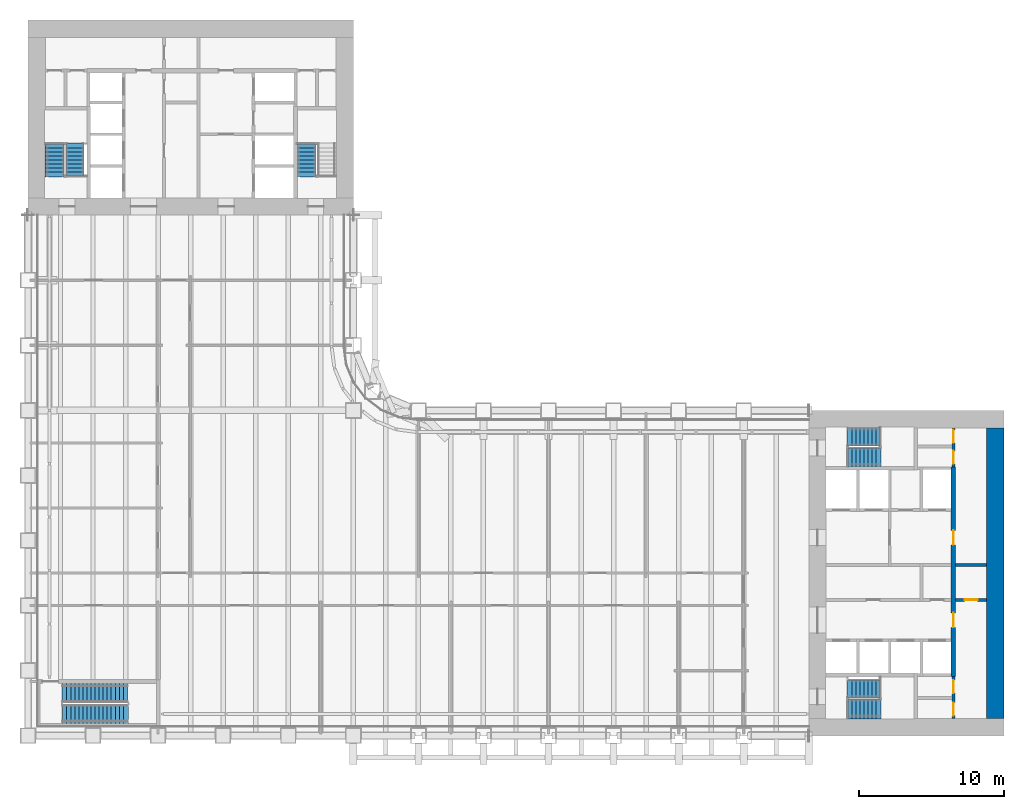
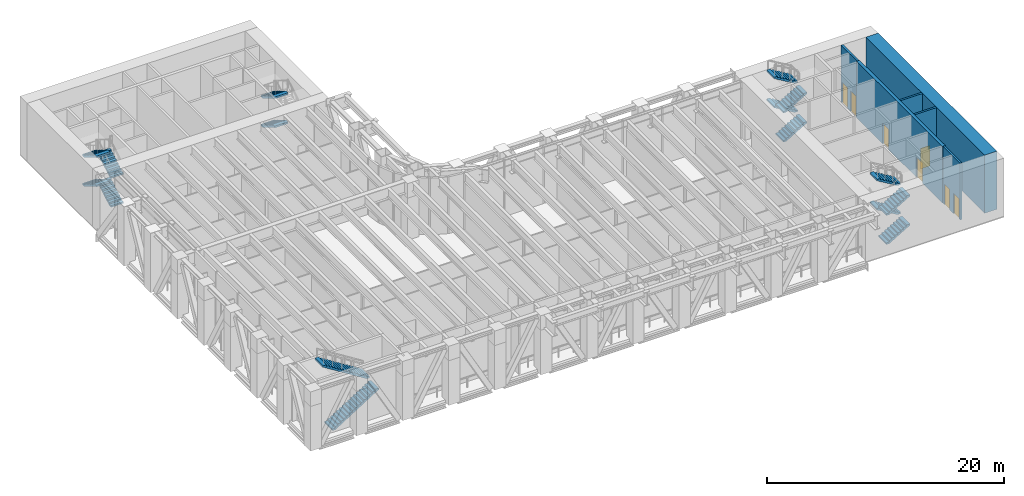
# One storey, part 12 of 19: 16 stair flights, 7 doors, 6 walls, 7 openings, 5 elements without a shape of their own.
"""IFC4 building model written with IfcOpenShell, lengths in metres."""

from ifc_helpers import new_model, si_unit, direction, frame, frame_2d, origin, place, context, subcontext, project, spatial, polyline, rectangle, outline, extrude, material, layer, layer_set, type_object, element, fill, aggregate, save


model = new_model("IFC4")

# Units and contexts
model_context = context("Model", 3, precision=1e-05, world=origin(), true_north=direction((0.0, 1.0)))
body_context = subcontext(model_context, "Body", "Model", "MODEL_VIEW")
ifc_project = project(units=[si_unit("LENGTHUNIT", "METRE"), si_unit("AREAUNIT", "SQUARE_METRE"), si_unit("VOLUMEUNIT", "CUBIC_METRE"), si_unit("PLANEANGLEUNIT", "RADIAN"), si_unit("MASSUNIT", "GRAM", prefix="KILO")], contexts=[model_context])

# Site, building, storey
site_placement = place(None, origin())
site = spatial("IfcSite", under=ifc_project, at=site_placement, CompositionType="ELEMENT")
building_placement = place(site_placement, origin())
building = spatial("IfcBuilding", under=site, at=building_placement, Name="Sennacour Bend Tower", CompositionType="ELEMENT")
storey_placement = place(building_placement, frame((0.0, 0.0, 77.0)))
storey = spatial("IfcBuildingStorey", under=building, at=storey_placement, Name="L17", CompositionType="ELEMENT", Elevation=77.0)

# Wall
ifc_material_1 = material(Name="Concrete C80/95", Category="concrete")
ifc_layer_1 = layer(ifc_material_1, 1.199951171875, Name="Concrete C80/95", Category="concrete")
ifc_layer_set_1 = layer_set([ifc_layer_1], Name="Concrete C80/95")
wall_type_1 = type_object("IfcWallType", Name="Core wall 1200 C80/95", PredefinedType="SHEAR", material=ifc_layer_set_1)
wall_1_placement = place(storey_placement, frame((66.89990234375, 1.199951171875, -0.14990234375), z_axis=(0.0, 0.0, 1.0), x_axis=(0.0, 1.0, 0.0)))
element("IfcWall", 1, at=wall_1_placement, inside=storey, type_object=wall_type_1, Name="Core A wall L17 E", PredefinedType="SHEAR", context=body_context, shape_type="SweptSolid", body=[
    extrude(rectangle(XDim=20.10009765625, YDim=1.199951171875, at=frame_2d((10.050048828125, 0.0))), origin(), (0.0, 0.0, 1.0), 6.0),
])

# Wall, openings, doors
ifc_material_2 = material(Name="Fire-rated plasterboard partition on steel studs", Category="steel")
ifc_layer_2 = layer(ifc_material_2, 0.199951171875, Name="Fire-rated plasterboard partition on steel studs", Category="steel")
ifc_layer_set_2 = layer_set([ifc_layer_2], Name="Fire-rated plasterboard partition on steel studs")
wall_type_2 = type_object("IfcWallType", Name="Rated partition 200", PredefinedType="PARTITIONING", material=ifc_layer_set_2)
wall_2_placement = place(storey_placement, frame((64.0, 1.199951171875, 0.0), z_axis=(0.0, 0.0, 1.0), x_axis=(0.0, 1.0, 0.0)))
wall_2 = element("IfcWall", 2, at=wall_2_placement, inside=storey, type_object=wall_type_2, Name="P-L17-W040", PredefinedType="PARTITIONING", context=body_context, shape_type="SweptSolid", body=[
    extrude(rectangle(XDim=2.900146484375, YDim=0.199951171875, at=frame_2d((1.4501953125, 0.0))), origin(), (0.0, 0.0, 1.0), 5.85009765625),
])
opening_1_placement = place(wall_2_placement, frame((0.199951171875, 0.0, 0.0)))
opening_1 = element("IfcOpeningElement", 3, at=opening_1_placement, cuts=wall_2, Name="Opening SV", PredefinedType="OPENING", context=body_context, shape_type="SweptSolid", body=[
    extrude(rectangle(XDim=0.89990234375, YDim=2.10009765625, at=frame_2d((0.449951171875, 1.050048828125))), frame((0.0, 0.10986328125, 0.0), z_axis=(0.0, -1.0, 0.0), x_axis=(1.0, 0.0, 0.0)), (0.0, 0.0, 1.0), 0.219970703125),
])
opening_2_placement = place(wall_2_placement, frame((1.75, 0.0, 0.0)))
opening_2 = element("IfcOpeningElement", 4, at=opening_2_placement, cuts=wall_2, Name="Opening WD", PredefinedType="OPENING", context=body_context, shape_type="SweptSolid", body=[
    extrude(rectangle(XDim=0.89990234375, YDim=2.10009765625, at=frame_2d((0.449951171875, 1.050048828125))), frame((0.0, 0.10986328125, 0.0), z_axis=(0.0, -1.0, 0.0), x_axis=(1.0, 0.0, 0.0)), (0.0, 0.0, 1.0), 0.219970703125),
])
ifc_material_3 = material(Name="Painted steel", Category="steel")
door_type_1 = type_object("IfcDoorType", Name="DR-SERVICE-900", OperationType="NOTDEFINED", PredefinedType="DOOR", material=ifc_material_3)
door_1_placement = place(opening_1_placement, origin())
door_1 = element("IfcDoor", 5, at=door_1_placement, inside=storey, type_object=door_type_1, Name="Door", OperationType="SINGLE_SWING_LEFT", OverallHeight=2.10009765625, OverallWidth=0.89990234375, PredefinedType="DOOR", context=body_context, shape_type="SweptSolid", body=[
    extrude(rectangle(XDim=0.89990234375, YDim=2.10009765625, at=frame_2d((0.449951171875, 1.050048828125))), frame((0.0, 0.02490234375, 0.0), z_axis=(0.0, -1.0, 0.0), x_axis=(1.0, 0.0, 0.0)), (0.0, 0.0, 1.0), 0.050048828125),
])
fill(opening_1, door_1)
ifc_material_4 = material(Name="Timber", Category="wood")
door_type_2 = type_object("IfcDoorType", Name="DR-WC-900", OperationType="NOTDEFINED", PredefinedType="DOOR", material=ifc_material_4)
door_2_placement = place(opening_2_placement, origin())
door_2 = element("IfcDoor", 6, at=door_2_placement, inside=storey, type_object=door_type_2, Name="Door", OperationType="SINGLE_SWING_RIGHT", OverallHeight=2.10009765625, OverallWidth=0.89990234375, PredefinedType="DOOR", context=body_context, shape_type="SweptSolid", body=[
    extrude(rectangle(XDim=0.89990234375, YDim=2.10009765625, at=frame_2d((0.449951171875, 1.050048828125))), frame((0.0, 0.02490234375, 0.0), z_axis=(0.0, -1.0, 0.0), x_axis=(1.0, 0.0, 0.0)), (0.0, 0.0, 1.0), 0.050048828125),
])
fill(opening_2, door_2)

wall_3_placement = place(storey_placement, frame((64.0, 18.60009765625, 0.0), z_axis=(0.0, 0.0, 1.0), x_axis=(0.0, 1.0, 0.0)))
wall_3 = element("IfcWall", 7, at=wall_3_placement, inside=storey, type_object=wall_type_2, Name="P-L17-W042", PredefinedType="PARTITIONING", context=body_context, shape_type="SweptSolid", body=[
    extrude(rectangle(XDim=2.699951171875, YDim=0.199951171875, at=frame_2d((1.35009765625, 0.0))), origin(), (0.0, 0.0, 1.0), 5.85009765625),
])
opening_3_placement = place(wall_3_placement, frame((0.199951171875, 0.0, 0.0)))
opening_3 = element("IfcOpeningElement", 8, at=opening_3_placement, cuts=wall_3, Name="Opening SV", PredefinedType="OPENING", context=body_context, shape_type="SweptSolid", body=[
    extrude(rectangle(XDim=0.89990234375, YDim=2.10009765625, at=frame_2d((0.449951171875, 1.050048828125))), frame((0.0, 0.10986328125, 0.0), z_axis=(0.0, -1.0, 0.0), x_axis=(1.0, 0.0, 0.0)), (0.0, 0.0, 1.0), 0.219970703125),
])
opening_4_placement = place(wall_3_placement, frame((1.64990234375, 0.0, 0.0)))
opening_4 = element("IfcOpeningElement", 9, at=opening_4_placement, cuts=wall_3, Name="Opening SV", PredefinedType="OPENING", context=body_context, shape_type="SweptSolid", body=[
    extrude(rectangle(XDim=0.89990234375, YDim=2.10009765625, at=frame_2d((0.449951171875, 1.050048828125))), frame((0.0, 0.10986328125, 0.0), z_axis=(0.0, -1.0, 0.0), x_axis=(1.0, 0.0, 0.0)), (0.0, 0.0, 1.0), 0.219970703125),
])
door_3_placement = place(opening_3_placement, origin())
door_3 = element("IfcDoor", 10, at=door_3_placement, inside=storey, type_object=door_type_1, Name="Door", OperationType="SINGLE_SWING_LEFT", OverallHeight=2.10009765625, OverallWidth=0.89990234375, PredefinedType="DOOR", context=body_context, shape_type="SweptSolid", body=[
    extrude(rectangle(XDim=0.89990234375, YDim=2.10009765625, at=frame_2d((0.449951171875, 1.050048828125))), frame((0.0, 0.02490234375, 0.0), z_axis=(0.0, -1.0, 0.0), x_axis=(1.0, 0.0, 0.0)), (0.0, 0.0, 1.0), 0.050048828125),
])
fill(opening_3, door_3)
door_4_placement = place(opening_4_placement, origin())
door_4 = element("IfcDoor", 11, at=door_4_placement, inside=storey, type_object=door_type_1, Name="Door", OperationType="SINGLE_SWING_RIGHT", OverallHeight=2.10009765625, OverallWidth=0.89990234375, PredefinedType="DOOR", context=body_context, shape_type="SweptSolid", body=[
    extrude(rectangle(XDim=0.89990234375, YDim=2.10009765625, at=frame_2d((0.449951171875, 1.050048828125))), frame((0.0, 0.02490234375, 0.0), z_axis=(0.0, -1.0, 0.0), x_axis=(1.0, 0.0, 0.0)), (0.0, 0.0, 1.0), 0.050048828125),
])
fill(opening_4, door_4)

# Wall, opening, door
wall_4_placement = place(storey_placement, frame((64.14990234375, 9.39990234375, 0.0), z_axis=(0.0, 0.0, 1.0), x_axis=(1.0, 0.0, 0.0)))
wall_4 = element("IfcWall", 12, at=wall_4_placement, inside=storey, type_object=wall_type_2, Name="P-L17-W053c", PredefinedType="PARTITIONING", context=body_context, shape_type="SweptSolid", body=[
    extrude(rectangle(XDim=2.150146484375, YDim=0.199951171875, at=frame_2d((1.0751953125, 0.0))), origin(), (0.0, 0.0, 1.0), 5.85009765625),
])
opening_5_placement = place(wall_4_placement, frame((0.625, 0.0, 0.0)))
opening_5 = element("IfcOpeningElement", 13, at=opening_5_placement, cuts=wall_4, Name="Opening SV", PredefinedType="OPENING", context=body_context, shape_type="SweptSolid", body=[
    extrude(rectangle(XDim=0.89990234375, YDim=2.10009765625, at=frame_2d((0.449951171875, 1.050048828125))), frame((0.0, 0.10986328125, 0.0), z_axis=(0.0, -1.0, 0.0), x_axis=(1.0, 0.0, 0.0)), (0.0, 0.0, 1.0), 0.219970703125),
])
door_5_placement = place(opening_5_placement, origin())
door_5 = element("IfcDoor", 14, at=door_5_placement, inside=storey, type_object=door_type_1, Name="Door", OperationType="SINGLE_SWING_LEFT", OverallHeight=2.10009765625, OverallWidth=0.89990234375, PredefinedType="DOOR", context=body_context, shape_type="SweptSolid", body=[
    extrude(rectangle(XDim=0.89990234375, YDim=2.10009765625, at=frame_2d((0.449951171875, 1.050048828125))), frame((0.0, 0.02490234375, 0.0), z_axis=(0.0, -1.0, 0.0), x_axis=(1.0, 0.0, 0.0)), (0.0, 0.0, 1.0), 0.050048828125),
])
fill(opening_5, door_5)

# Wall
wall_5_placement = place(storey_placement, frame((64.14990234375, 11.800048828125, 0.0), z_axis=(0.0, 0.0, 1.0), x_axis=(1.0, 0.0, 0.0)))
element("IfcWall", 15, at=wall_5_placement, inside=storey, type_object=wall_type_2, Name="P-L17-W055d", PredefinedType="PARTITIONING", context=body_context, shape_type="SweptSolid", body=[
    extrude(rectangle(XDim=2.150146484375, YDim=0.199951171875, at=frame_2d((1.0751953125, 0.0))), origin(), (0.0, 0.0, 1.0), 5.85009765625),
])

# Wall, openings, doors
ifc_material_5 = material(Name="Concrete C60/75", Category="concrete")
ifc_layer_3 = layer(ifc_material_5, 0.300048828125, Name="Concrete C60/75", Category="concrete")
ifc_layer_set_3 = layer_set([ifc_layer_3], Name="Concrete C60/75")
wall_type_3 = type_object("IfcWallType", Name="Spine wall 300", PredefinedType="SHEAR", material=ifc_layer_set_3)
wall_6_placement = place(storey_placement, frame((64.0, 4.10009765625, 0.0), z_axis=(0.0, 0.0, 1.0), x_axis=(0.0, 1.0, 0.0)))
wall_6 = element("IfcWall", 16, at=wall_6_placement, inside=storey, type_object=wall_type_3, Name="P-L17-W041", PredefinedType="SHEAR", context=body_context, shape_type="SweptSolid", body=[
    extrude(rectangle(XDim=14.5, YDim=0.300048828125, at=frame_2d((7.25, 0.0))), origin(), (0.0, 0.0, 1.0), 5.85009765625),
])
opening_6_placement = place(wall_6_placement, frame((3.39990234375, 0.0, 0.0)))
opening_6 = element("IfcOpeningElement", 17, at=opening_6_placement, cuts=wall_6, Name="Opening CD2", PredefinedType="OPENING", context=body_context, shape_type="SweptSolid", body=[
    extrude(rectangle(XDim=1.0, YDim=2.10009765625, at=frame_2d((0.5, 1.050048828125))), frame((0.0, 0.16015625, 0.0), z_axis=(0.0, -1.0, 0.0), x_axis=(1.0, 0.0, 0.0)), (0.0, 0.0, 1.0), 0.320068359375),
])
opening_7_placement = place(wall_6_placement, frame((9.099853515625, 0.0, 0.0)))
opening_7 = element("IfcOpeningElement", 18, at=opening_7_placement, cuts=wall_6, Name="Opening CD2", PredefinedType="OPENING", context=body_context, shape_type="SweptSolid", body=[
    extrude(rectangle(XDim=1.0, YDim=2.10009765625, at=frame_2d((0.5, 1.050048828125))), frame((0.0, 0.16015625, 0.0), z_axis=(0.0, -1.0, 0.0), x_axis=(1.0, 0.0, 0.0)), (0.0, 0.0, 1.0), 0.320068359375),
])
door_type_3 = type_object("IfcDoorType", Name="DR-LOBBY-1000", OperationType="NOTDEFINED", PredefinedType="DOOR", material=ifc_material_3)
door_6_placement = place(opening_6_placement, origin())
door_6 = element("IfcDoor", 19, at=door_6_placement, inside=storey, type_object=door_type_3, Name="Door", OperationType="SINGLE_SWING_LEFT", OverallHeight=2.10009765625, OverallWidth=1.0, PredefinedType="DOOR", context=body_context, shape_type="SweptSolid", body=[
    extrude(rectangle(XDim=1.0, YDim=2.10009765625, at=frame_2d((0.5, 1.050048828125))), frame((0.0, 0.02490234375, 0.0), z_axis=(0.0, -1.0, 0.0), x_axis=(1.0, 0.0, 0.0)), (0.0, 0.0, 1.0), 0.050048828125),
])
fill(opening_6, door_6)
door_7_placement = place(opening_7_placement, origin())
door_7 = element("IfcDoor", 20, at=door_7_placement, inside=storey, type_object=door_type_3, Name="Door", OperationType="SINGLE_SWING_RIGHT", OverallHeight=2.10009765625, OverallWidth=1.0, PredefinedType="DOOR", context=body_context, shape_type="SweptSolid", body=[
    extrude(rectangle(XDim=1.0, YDim=2.10009765625, at=frame_2d((0.5, 1.050048828125))), frame((0.0, 0.02490234375, 0.0), z_axis=(0.0, -1.0, 0.0), x_axis=(1.0, 0.0, 0.0)), (0.0, 0.0, 1.0), 0.050048828125),
])
fill(opening_7, door_7)

# Stair, stair flights
ifc_material_6 = material(Name="Concrete C40/50", Category="concrete")
stair_type = type_object("IfcStairType", Name="ST-DOGLEG", PredefinedType="HALF_TURN_STAIR", material=ifc_material_6)
stair_1_placement = place(storey_placement, origin())
stair_1 = element("IfcStair", 21, at=stair_1_placement, inside=storey, type_object=stair_type, Name="L17 Exit stair A1", PredefinedType="HALF_TURN_STAIR")
stair_flight_type = type_object("IfcStairFlightType", Name="SFL-RC", PredefinedType="STRAIGHT", material=ifc_material_6)
stair_flight_1_placement = place(storey_placement, frame((56.699951171875, 1.8349609375, 0.0), z_axis=(0.0, 0.0, 1.0), x_axis=(1.0, 0.0, 0.0)))
stair_flight_1 = element("IfcStairFlight", 22, at=stair_flight_1_placement, type_object=stair_flight_type, Name="SA1 flight 1", NumberOfRisers=9, NumberOfTreads=8, PredefinedType="STRAIGHT", RiserHeight=0.166666667, TreadLength=0.28, context=body_context, shape_type="SweptSolid", body=[
    extrude(outline(polyline([(0.0, 0.0), (0.0, 0.166748046875), (0.280029296875, 0.166748046875), (0.280029296875, 0.333251953125), (0.56005859375, 0.333251953125), (0.56005859375, 0.5), (0.840087890625, 0.5), (0.840087890625, 0.666748046875), (1.1201171875, 0.666748046875), (1.1201171875, 0.833251953125), (1.39990234375, 0.833251953125), (1.39990234375, 1.0), (1.679931640625, 1.0), (1.679931640625, 1.166748046875), (1.9599609375, 1.166748046875), (1.9599609375, 1.333251953125), (2.239990234375, 1.333251953125), (2.300048828125, 1.333251953125), (2.300048828125, 1.158935546875), (2.239990234375, 1.158935546875), (0.29296875, 0.0), (0.0, 0.0)])), frame((0.0, 0.6650390625, 0.0), z_axis=(0.0, -1.0, 0.0), x_axis=(1.0, 0.0, 0.0)), (0.0, 0.0, 1.0), 1.330078125),
])
stair_flight_2_placement = place(storey_placement, frame((58.93994140625, 3.25, 1.5), z_axis=(0.0, 0.0, 1.0), x_axis=(-1.0, 0.0, 0.0)))
stair_flight_2 = element("IfcStairFlight", 23, at=stair_flight_2_placement, type_object=stair_flight_type, Name="SA1 flight 2", NumberOfRisers=9, NumberOfTreads=8, PredefinedType="STRAIGHT", RiserHeight=0.166666667, TreadLength=0.28, context=body_context, shape_type="SweptSolid", body=[
    extrude(outline(polyline([(0.0, 0.0), (0.0, 0.166748046875), (0.280029296875, 0.166748046875), (0.280029296875, 0.333251953125), (0.56005859375, 0.333251953125), (0.56005859375, 0.5), (0.840087890625, 0.5), (0.840087890625, 0.666748046875), (1.1201171875, 0.666748046875), (1.1201171875, 0.833251953125), (1.39990234375, 0.833251953125), (1.39990234375, 1.0), (1.679931640625, 1.0), (1.679931640625, 1.166748046875), (1.9599609375, 1.166748046875), (1.9599609375, 1.333251953125), (2.239990234375, 1.333251953125), (2.300048828125, 1.333251953125), (2.300048828125, 1.158935546875), (2.239990234375, 1.158935546875), (0.29296875, 0.0), (0.0, 0.0)])), frame((0.0, 0.60009765625, 0.0), z_axis=(0.0, -1.0, 0.0), x_axis=(1.0, 0.0, 0.0)), (0.0, 0.0, 1.0), 1.199951171875),
])
stair_flight_3_placement = place(storey_placement, frame((56.699951171875, 1.8349609375, 3.0), z_axis=(0.0, 0.0, 1.0), x_axis=(1.0, 0.0, 0.0)))
stair_flight_3 = element("IfcStairFlight", 24, at=stair_flight_3_placement, type_object=stair_flight_type, Name="SA1 flight 3", NumberOfRisers=9, NumberOfTreads=8, PredefinedType="STRAIGHT", RiserHeight=0.166666667, TreadLength=0.28, context=body_context, shape_type="SweptSolid", body=[
    extrude(outline(polyline([(0.0, 0.0), (0.0, 0.166748046875), (0.280029296875, 0.166748046875), (0.280029296875, 0.333251953125), (0.56005859375, 0.333251953125), (0.56005859375, 0.5), (0.840087890625, 0.5), (0.840087890625, 0.666748046875), (1.1201171875, 0.666748046875), (1.1201171875, 0.833251953125), (1.39990234375, 0.833251953125), (1.39990234375, 1.0), (1.679931640625, 1.0), (1.679931640625, 1.166748046875), (1.9599609375, 1.166748046875), (1.9599609375, 1.333251953125), (2.239990234375, 1.333251953125), (2.300048828125, 1.333251953125), (2.300048828125, 1.158935546875), (2.239990234375, 1.158935546875), (0.29296875, 0.0), (0.0, 0.0)])), frame((0.0, 0.6650390625, 0.0), z_axis=(0.0, -1.0, 0.0), x_axis=(1.0, 0.0, 0.0)), (0.0, 0.0, 1.0), 1.330078125),
])
stair_flight_4_placement = place(storey_placement, frame((58.93994140625, 3.25, 4.5), z_axis=(0.0, 0.0, 1.0), x_axis=(-1.0, 0.0, 0.0)))
stair_flight_4 = element("IfcStairFlight", 25, at=stair_flight_4_placement, type_object=stair_flight_type, Name="SA1 flight 4", NumberOfRisers=9, NumberOfTreads=8, PredefinedType="STRAIGHT", RiserHeight=0.166666667, TreadLength=0.28, context=body_context, shape_type="SweptSolid", body=[
    extrude(outline(polyline([(0.0, 0.0), (0.0, 0.166748046875), (0.280029296875, 0.166748046875), (0.280029296875, 0.333251953125), (0.56005859375, 0.333251953125), (0.56005859375, 0.5), (0.840087890625, 0.5), (0.840087890625, 0.666748046875), (1.1201171875, 0.666748046875), (1.1201171875, 0.833251953125), (1.39990234375, 0.833251953125), (1.39990234375, 1.0), (1.679931640625, 1.0), (1.679931640625, 1.166748046875), (1.9599609375, 1.166748046875), (1.9599609375, 1.333251953125), (2.239990234375, 1.333251953125), (2.300048828125, 1.333251953125), (2.300048828125, 1.158935546875), (2.239990234375, 1.158935546875), (0.29296875, 0.0), (0.0, 0.0)])), frame((0.0, 0.60009765625, 0.0), z_axis=(0.0, -1.0, 0.0), x_axis=(1.0, 0.0, 0.0)), (0.0, 0.0, 1.0), 1.199951171875),
])
aggregate(stair_1, [stair_flight_1, stair_flight_2, stair_flight_3, stair_flight_4])

stair_2_placement = place(storey_placement, origin())
stair_2 = element("IfcStair", 26, at=stair_2_placement, inside=storey, type_object=stair_type, Name="L17 Exit stair A2", PredefinedType="HALF_TURN_STAIR")
stair_flight_5_placement = place(storey_placement, frame((56.699951171875, 19.24755859375, 0.0), z_axis=(0.0, 0.0, 1.0), x_axis=(1.0, 0.0, 0.0)))
stair_flight_5 = element("IfcStairFlight", 27, at=stair_flight_5_placement, type_object=stair_flight_type, Name="SA2 flight 1", NumberOfRisers=9, NumberOfTreads=8, PredefinedType="STRAIGHT", RiserHeight=0.166666667, TreadLength=0.28, context=body_context, shape_type="SweptSolid", body=[
    extrude(outline(polyline([(0.0, 0.0), (0.0, 0.166748046875), (0.280029296875, 0.166748046875), (0.280029296875, 0.333251953125), (0.56005859375, 0.333251953125), (0.56005859375, 0.5), (0.840087890625, 0.5), (0.840087890625, 0.666748046875), (1.1201171875, 0.666748046875), (1.1201171875, 0.833251953125), (1.39990234375, 0.833251953125), (1.39990234375, 1.0), (1.679931640625, 1.0), (1.679931640625, 1.166748046875), (1.9599609375, 1.166748046875), (1.9599609375, 1.333251953125), (2.239990234375, 1.333251953125), (2.300048828125, 1.333251953125), (2.300048828125, 1.158935546875), (2.239990234375, 1.158935546875), (0.29296875, 0.0), (0.0, 0.0)])), frame((0.0, 0.65234375, 0.0), z_axis=(0.0, -1.0, 0.0), x_axis=(1.0, 0.0, 0.0)), (0.0, 0.0, 1.0), 1.304931640625),
])
stair_flight_6_placement = place(storey_placement, frame((58.93994140625, 20.68994140625, 1.5), z_axis=(0.0, 0.0, 1.0), x_axis=(-1.0, 0.0, 0.0)))
stair_flight_6 = element("IfcStairFlight", 28, at=stair_flight_6_placement, type_object=stair_flight_type, Name="SA2 flight 2", NumberOfRisers=9, NumberOfTreads=8, PredefinedType="STRAIGHT", RiserHeight=0.166666667, TreadLength=0.28, context=body_context, shape_type="SweptSolid", body=[
    extrude(outline(polyline([(0.0, 0.0), (0.0, 0.166748046875), (0.280029296875, 0.166748046875), (0.280029296875, 0.333251953125), (0.56005859375, 0.333251953125), (0.56005859375, 0.5), (0.840087890625, 0.5), (0.840087890625, 0.666748046875), (1.1201171875, 0.666748046875), (1.1201171875, 0.833251953125), (1.39990234375, 0.833251953125), (1.39990234375, 1.0), (1.679931640625, 1.0), (1.679931640625, 1.166748046875), (1.9599609375, 1.166748046875), (1.9599609375, 1.333251953125), (2.239990234375, 1.333251953125), (2.300048828125, 1.333251953125), (2.300048828125, 1.158935546875), (2.239990234375, 1.158935546875), (0.29296875, 0.0), (0.0, 0.0)])), frame((0.0, 0.64013671875, 0.0), z_axis=(0.0, -1.0, 0.0), x_axis=(1.0, 0.0, 0.0)), (0.0, 0.0, 1.0), 1.280029296875),
])
stair_flight_7_placement = place(storey_placement, frame((56.699951171875, 19.24755859375, 3.0), z_axis=(0.0, 0.0, 1.0), x_axis=(1.0, 0.0, 0.0)))
stair_flight_7 = element("IfcStairFlight", 29, at=stair_flight_7_placement, type_object=stair_flight_type, Name="SA2 flight 3", NumberOfRisers=9, NumberOfTreads=8, PredefinedType="STRAIGHT", RiserHeight=0.166666667, TreadLength=0.28, context=body_context, shape_type="SweptSolid", body=[
    extrude(outline(polyline([(0.0, 0.0), (0.0, 0.166748046875), (0.280029296875, 0.166748046875), (0.280029296875, 0.333251953125), (0.56005859375, 0.333251953125), (0.56005859375, 0.5), (0.840087890625, 0.5), (0.840087890625, 0.666748046875), (1.1201171875, 0.666748046875), (1.1201171875, 0.833251953125), (1.39990234375, 0.833251953125), (1.39990234375, 1.0), (1.679931640625, 1.0), (1.679931640625, 1.166748046875), (1.9599609375, 1.166748046875), (1.9599609375, 1.333251953125), (2.239990234375, 1.333251953125), (2.300048828125, 1.333251953125), (2.300048828125, 1.158935546875), (2.239990234375, 1.158935546875), (0.29296875, 0.0), (0.0, 0.0)])), frame((0.0, 0.65234375, 0.0), z_axis=(0.0, -1.0, 0.0), x_axis=(1.0, 0.0, 0.0)), (0.0, 0.0, 1.0), 1.304931640625),
])
stair_flight_8_placement = place(storey_placement, frame((58.93994140625, 20.68994140625, 4.5), z_axis=(0.0, 0.0, 1.0), x_axis=(-1.0, 0.0, 0.0)))
stair_flight_8 = element("IfcStairFlight", 30, at=stair_flight_8_placement, type_object=stair_flight_type, Name="SA2 flight 4", NumberOfRisers=9, NumberOfTreads=8, PredefinedType="STRAIGHT", RiserHeight=0.166666667, TreadLength=0.28, context=body_context, shape_type="SweptSolid", body=[
    extrude(outline(polyline([(0.0, 0.0), (0.0, 0.166748046875), (0.280029296875, 0.166748046875), (0.280029296875, 0.333251953125), (0.56005859375, 0.333251953125), (0.56005859375, 0.5), (0.840087890625, 0.5), (0.840087890625, 0.666748046875), (1.1201171875, 0.666748046875), (1.1201171875, 0.833251953125), (1.39990234375, 0.833251953125), (1.39990234375, 1.0), (1.679931640625, 1.0), (1.679931640625, 1.166748046875), (1.9599609375, 1.166748046875), (1.9599609375, 1.333251953125), (2.239990234375, 1.333251953125), (2.300048828125, 1.333251953125), (2.300048828125, 1.158935546875), (2.239990234375, 1.158935546875), (0.29296875, 0.0), (0.0, 0.0)])), frame((0.0, 0.64013671875, 0.0), z_axis=(0.0, -1.0, 0.0), x_axis=(1.0, 0.0, 0.0)), (0.0, 0.0, 1.0), 1.280029296875),
])
aggregate(stair_2, [stair_flight_5, stair_flight_6, stair_flight_7, stair_flight_8])

stair_3_placement = place(storey_placement, origin())
stair_3 = element("IfcStair", 31, at=stair_3_placement, inside=storey, type_object=stair_type, Name="L17 Exit stair B1", PredefinedType="HALF_TURN_STAIR")
stair_flight_9_placement = place(storey_placement, frame((3.25, 38.699951171875, 0.0), z_axis=(0.0, 0.0, 1.0), x_axis=(0.0, 1.0, 0.0)))
stair_flight_9 = element("IfcStairFlight", 32, at=stair_flight_9_placement, type_object=stair_flight_type, Name="SB1 flight 1", NumberOfRisers=9, NumberOfTreads=8, PredefinedType="STRAIGHT", RiserHeight=0.166666667, TreadLength=0.28, context=body_context, shape_type="SweptSolid", body=[
    extrude(outline(polyline([(0.0, 0.0), (0.0, 0.166748046875), (0.280029296875, 0.166748046875), (0.280029296875, 0.333251953125), (0.56005859375, 0.333251953125), (0.56005859375, 0.5), (0.840087890625, 0.5), (0.840087890625, 0.666748046875), (1.1201171875, 0.666748046875), (1.1201171875, 0.833251953125), (1.39990234375, 0.833251953125), (1.39990234375, 1.0), (1.679931640625, 1.0), (1.679931640625, 1.166748046875), (1.9599609375, 1.166748046875), (1.9599609375, 1.333251953125), (2.239990234375, 1.333251953125), (2.300048828125, 1.333251953125), (2.300048828125, 1.158935546875), (2.239990234375, 1.158935546875), (0.29296875, 0.0), (0.0, 0.0)])), frame((0.0, 0.60009765625, 0.0), z_axis=(0.0, -1.0, 0.0), x_axis=(1.0, 0.0, 0.0)), (0.0, 0.0, 1.0), 1.199951171875),
])
stair_flight_10_placement = place(storey_placement, frame((1.8349609375, 40.93994140625, 1.5), z_axis=(0.0, 0.0, 1.0), x_axis=(0.0, -1.0, 0.0)))
stair_flight_10 = element("IfcStairFlight", 33, at=stair_flight_10_placement, type_object=stair_flight_type, Name="SB1 flight 2", NumberOfRisers=9, NumberOfTreads=8, PredefinedType="STRAIGHT", RiserHeight=0.166666667, TreadLength=0.28, context=body_context, shape_type="SweptSolid", body=[
    extrude(outline(polyline([(0.0, 0.0), (0.0, 0.166748046875), (0.280029296875, 0.166748046875), (0.280029296875, 0.333251953125), (0.56005859375, 0.333251953125), (0.56005859375, 0.5), (0.840087890625, 0.5), (0.840087890625, 0.666748046875), (1.1201171875, 0.666748046875), (1.1201171875, 0.833251953125), (1.39990234375, 0.833251953125), (1.39990234375, 1.0), (1.679931640625, 1.0), (1.679931640625, 1.166748046875), (1.9599609375, 1.166748046875), (1.9599609375, 1.333251953125), (2.239990234375, 1.333251953125), (2.300048828125, 1.333251953125), (2.300048828125, 1.158935546875), (2.239990234375, 1.158935546875), (0.29296875, 0.0), (0.0, 0.0)])), frame((0.0, 0.6650390625, 0.0), z_axis=(0.0, -1.0, 0.0), x_axis=(1.0, 0.0, 0.0)), (0.0, 0.0, 1.0), 1.330078125),
])
stair_flight_11_placement = place(storey_placement, frame((3.25, 38.699951171875, 3.0), z_axis=(0.0, 0.0, 1.0), x_axis=(0.0, 1.0, 0.0)))
stair_flight_11 = element("IfcStairFlight", 34, at=stair_flight_11_placement, type_object=stair_flight_type, Name="SB1 flight 3", NumberOfRisers=9, NumberOfTreads=8, PredefinedType="STRAIGHT", RiserHeight=0.166666667, TreadLength=0.28, context=body_context, shape_type="SweptSolid", body=[
    extrude(outline(polyline([(0.0, 0.0), (0.0, 0.166748046875), (0.280029296875, 0.166748046875), (0.280029296875, 0.333251953125), (0.56005859375, 0.333251953125), (0.56005859375, 0.5), (0.840087890625, 0.5), (0.840087890625, 0.666748046875), (1.1201171875, 0.666748046875), (1.1201171875, 0.833251953125), (1.39990234375, 0.833251953125), (1.39990234375, 1.0), (1.679931640625, 1.0), (1.679931640625, 1.166748046875), (1.9599609375, 1.166748046875), (1.9599609375, 1.333251953125), (2.239990234375, 1.333251953125), (2.300048828125, 1.333251953125), (2.300048828125, 1.158935546875), (2.239990234375, 1.158935546875), (0.29296875, 0.0), (0.0, 0.0)])), frame((0.0, 0.60009765625, 0.0), z_axis=(0.0, -1.0, 0.0), x_axis=(1.0, 0.0, 0.0)), (0.0, 0.0, 1.0), 1.199951171875),
])
stair_flight_12_placement = place(storey_placement, frame((1.8349609375, 40.93994140625, 4.5), z_axis=(0.0, 0.0, 1.0), x_axis=(0.0, -1.0, 0.0)))
stair_flight_12 = element("IfcStairFlight", 35, at=stair_flight_12_placement, type_object=stair_flight_type, Name="SB1 flight 4", NumberOfRisers=9, NumberOfTreads=8, PredefinedType="STRAIGHT", RiserHeight=0.166666667, TreadLength=0.28, context=body_context, shape_type="SweptSolid", body=[
    extrude(outline(polyline([(0.0, 0.0), (0.0, 0.166748046875), (0.280029296875, 0.166748046875), (0.280029296875, 0.333251953125), (0.56005859375, 0.333251953125), (0.56005859375, 0.5), (0.840087890625, 0.5), (0.840087890625, 0.666748046875), (1.1201171875, 0.666748046875), (1.1201171875, 0.833251953125), (1.39990234375, 0.833251953125), (1.39990234375, 1.0), (1.679931640625, 1.0), (1.679931640625, 1.166748046875), (1.9599609375, 1.166748046875), (1.9599609375, 1.333251953125), (2.239990234375, 1.333251953125), (2.300048828125, 1.333251953125), (2.300048828125, 1.158935546875), (2.239990234375, 1.158935546875), (0.29296875, 0.0), (0.0, 0.0)])), frame((0.0, 0.6650390625, 0.0), z_axis=(0.0, -1.0, 0.0), x_axis=(1.0, 0.0, 0.0)), (0.0, 0.0, 1.0), 1.330078125),
])
aggregate(stair_3, [stair_flight_9, stair_flight_10, stair_flight_11, stair_flight_12])

stair_4_placement = place(storey_placement, origin())
stair_4 = element("IfcStair", 36, at=stair_4_placement, inside=storey, type_object=stair_type, Name="L17 Exit stair B2", PredefinedType="HALF_TURN_STAIR")
stair_flight_13_placement = place(storey_placement, frame((19.24755859375, 40.93994140625, 1.5), z_axis=(0.0, 0.0, 1.0), x_axis=(0.0, -1.0, 0.0)))
stair_flight_13 = element("IfcStairFlight", 37, at=stair_flight_13_placement, type_object=stair_flight_type, Name="SB2 flight 2", NumberOfRisers=9, NumberOfTreads=8, PredefinedType="STRAIGHT", RiserHeight=0.166666667, TreadLength=0.28, context=body_context, shape_type="SweptSolid", body=[
    extrude(outline(polyline([(0.0, 0.0), (0.0, 0.166748046875), (0.280029296875, 0.166748046875), (0.280029296875, 0.333251953125), (0.56005859375, 0.333251953125), (0.56005859375, 0.5), (0.840087890625, 0.5), (0.840087890625, 0.666748046875), (1.1201171875, 0.666748046875), (1.1201171875, 0.833251953125), (1.39990234375, 0.833251953125), (1.39990234375, 1.0), (1.679931640625, 1.0), (1.679931640625, 1.166748046875), (1.9599609375, 1.166748046875), (1.9599609375, 1.333251953125), (2.239990234375, 1.333251953125), (2.300048828125, 1.333251953125), (2.300048828125, 1.158935546875), (2.239990234375, 1.158935546875), (0.29296875, 0.0), (0.0, 0.0)])), frame((0.0, 0.65234375, 0.0), z_axis=(0.0, -1.0, 0.0), x_axis=(1.0, 0.0, 0.0)), (0.0, 0.0, 1.0), 1.304931640625),
])
stair_flight_14_placement = place(storey_placement, frame((19.24755859375, 40.93994140625, 4.5), z_axis=(0.0, 0.0, 1.0), x_axis=(0.0, -1.0, 0.0)))
stair_flight_14 = element("IfcStairFlight", 38, at=stair_flight_14_placement, type_object=stair_flight_type, Name="SB2 flight 4", NumberOfRisers=9, NumberOfTreads=8, PredefinedType="STRAIGHT", RiserHeight=0.166666667, TreadLength=0.28, context=body_context, shape_type="SweptSolid", body=[
    extrude(outline(polyline([(0.0, 0.0), (0.0, 0.166748046875), (0.280029296875, 0.166748046875), (0.280029296875, 0.333251953125), (0.56005859375, 0.333251953125), (0.56005859375, 0.5), (0.840087890625, 0.5), (0.840087890625, 0.666748046875), (1.1201171875, 0.666748046875), (1.1201171875, 0.833251953125), (1.39990234375, 0.833251953125), (1.39990234375, 1.0), (1.679931640625, 1.0), (1.679931640625, 1.166748046875), (1.9599609375, 1.166748046875), (1.9599609375, 1.333251953125), (2.239990234375, 1.333251953125), (2.300048828125, 1.333251953125), (2.300048828125, 1.158935546875), (2.239990234375, 1.158935546875), (0.29296875, 0.0), (0.0, 0.0)])), frame((0.0, 0.65234375, 0.0), z_axis=(0.0, -1.0, 0.0), x_axis=(1.0, 0.0, 0.0)), (0.0, 0.0, 1.0), 1.304931640625),
])
aggregate(stair_4, [stair_flight_13, stair_flight_14])

stair_5_placement = place(storey_placement, origin())
stair_5 = element("IfcStair", 39, at=stair_5_placement, inside=storey, type_object=stair_type, Name="L17 Exit stair K1", PredefinedType="HALF_TURN_STAIR")
stair_flight_15_placement = place(storey_placement, frame((2.39990234375, 1.485107421875, 0.0), z_axis=(0.0, 0.0, 1.0), x_axis=(1.0, 0.0, 0.0)))
stair_flight_15 = element("IfcStairFlight", 40, at=stair_flight_15_placement, type_object=stair_flight_type, Name="SK1 flight 1", NumberOfRisers=17, NumberOfTreads=16, PredefinedType="STRAIGHT", RiserHeight=0.176470588, TreadLength=0.28, context=body_context, shape_type="SweptSolid", body=[
    extrude(outline(polyline([(0.0, 0.0), (0.0, 0.176513671875), (0.280029296875, 0.176513671875), (0.280029296875, 0.35302734375), (0.56005859375, 0.35302734375), (0.56005859375, 0.529296875), (0.840087890625, 0.529296875), (0.840087890625, 0.705810546875), (1.1201171875, 0.705810546875), (1.1201171875, 0.88232421875), (1.39990234375, 0.88232421875), (1.39990234375, 1.058837890625), (1.679931640625, 1.058837890625), (1.679931640625, 1.2353515625), (1.9599609375, 1.2353515625), (1.9599609375, 1.411865234375), (2.239990234375, 1.411865234375), (2.239990234375, 1.588134765625), (2.52001953125, 1.588134765625), (2.52001953125, 1.7646484375), (2.800048828125, 1.7646484375), (2.800048828125, 1.941162109375), (3.080078125, 1.941162109375), (3.080078125, 2.11767578125), (3.360107421875, 2.11767578125), (3.360107421875, 2.294189453125), (3.639892578125, 2.294189453125), (3.639892578125, 2.470703125), (3.919921875, 2.470703125), (3.919921875, 2.64697265625), (4.199951171875, 2.64697265625), (4.199951171875, 2.823486328125), (4.47998046875, 2.823486328125), (4.5400390625, 2.823486328125), (4.5400390625, 2.646240234375), (4.47998046875, 2.646240234375), (0.28125, 0.0), (0.0, 0.0)])), frame((0.0, 0.6650390625, 0.0), z_axis=(0.0, -1.0, 0.0), x_axis=(1.0, 0.0, 0.0)), (0.0, 0.0, 1.0), 1.330078125),
])
stair_flight_16_placement = place(storey_placement, frame((6.8798828125, 2.9775390625, 3.0), z_axis=(0.0, 0.0, 1.0), x_axis=(-1.0, 0.0, 0.0)))
stair_flight_16 = element("IfcStairFlight", 41, at=stair_flight_16_placement, type_object=stair_flight_type, Name="SK1 flight 2", NumberOfRisers=17, NumberOfTreads=16, PredefinedType="STRAIGHT", RiserHeight=0.176470588, TreadLength=0.28, context=body_context, shape_type="SweptSolid", body=[
    extrude(outline(polyline([(0.0, 0.0), (0.0, 0.176513671875), (0.280029296875, 0.176513671875), (0.280029296875, 0.35302734375), (0.56005859375, 0.35302734375), (0.56005859375, 0.529296875), (0.840087890625, 0.529296875), (0.840087890625, 0.705810546875), (1.1201171875, 0.705810546875), (1.1201171875, 0.88232421875), (1.39990234375, 0.88232421875), (1.39990234375, 1.058837890625), (1.679931640625, 1.058837890625), (1.679931640625, 1.2353515625), (1.9599609375, 1.2353515625), (1.9599609375, 1.411865234375), (2.239990234375, 1.411865234375), (2.239990234375, 1.588134765625), (2.52001953125, 1.588134765625), (2.52001953125, 1.7646484375), (2.800048828125, 1.7646484375), (2.800048828125, 1.941162109375), (3.080078125, 1.941162109375), (3.080078125, 2.11767578125), (3.360107421875, 2.11767578125), (3.360107421875, 2.294189453125), (3.639892578125, 2.294189453125), (3.639892578125, 2.470703125), (3.919921875, 2.470703125), (3.919921875, 2.64697265625), (4.199951171875, 2.64697265625), (4.199951171875, 2.823486328125), (4.47998046875, 2.823486328125), (4.5400390625, 2.823486328125), (4.5400390625, 2.646240234375), (4.47998046875, 2.646240234375), (0.28125, 0.0), (0.0, 0.0)])), frame((0.0, 0.677490234375, 0.0), z_axis=(0.0, -1.0, 0.0), x_axis=(1.0, 0.0, 0.0)), (0.0, 0.0, 1.0), 1.35498046875),
])
aggregate(stair_5, [stair_flight_15, stair_flight_16])

save(model, "model.ifc")
